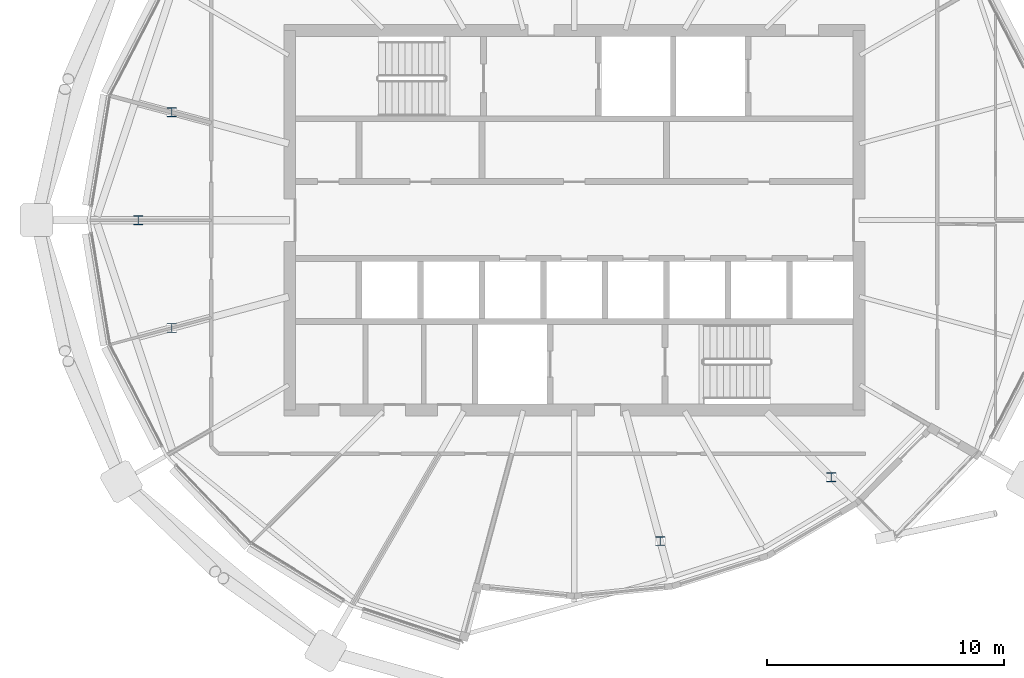
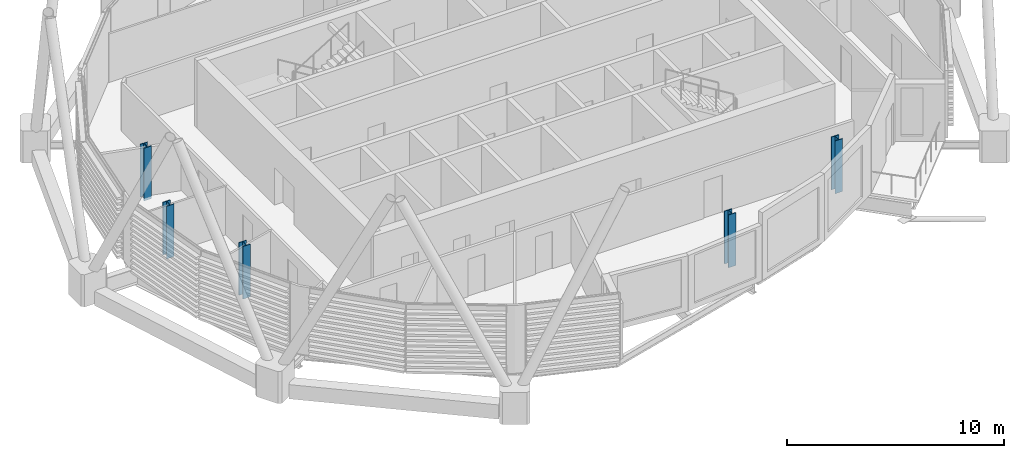
# One storey, part 1 of 32: 5 columns.
"""IFC4 building model written with IfcOpenShell, lengths in metres."""

from ifc_helpers import new_model, si_unit, direction, frame, origin, origin_2d, place, context, subcontext, project, spatial, i_section, extrude, material, material_profile, profile_set, type_object, element, save


model = new_model("IFC4")

# Units and contexts
model_context = context("Model", 3, precision=1e-05, world=origin(), true_north=direction((0.0, 1.0)))
body_context = subcontext(model_context, "Body", "Model", "MODEL_VIEW")
ifc_project = project(units=[si_unit("LENGTHUNIT", "METRE"), si_unit("AREAUNIT", "SQUARE_METRE"), si_unit("VOLUMEUNIT", "CUBIC_METRE"), si_unit("PLANEANGLEUNIT", "RADIAN"), si_unit("MASSUNIT", "GRAM", prefix="KILO")], contexts=[model_context])

# Site, building, storey
site_placement = place(None, origin())
site = spatial("IfcSite", under=ifc_project, at=site_placement, CompositionType="ELEMENT")
building_placement = place(site_placement, origin())
building = spatial("IfcBuilding", under=site, at=building_placement, Name="Rimbun Link Towers", CompositionType="ELEMENT")
storey_placement = place(building_placement, frame((0.0, 0.0, 233.300048828125)))
storey = spatial("IfcBuildingStorey", under=building, at=storey_placement, Name="L57", CompositionType="ELEMENT", Elevation=233.300048828125)

# Columns
ifc_material = material(Name="Steel S355J2", Category="steel")
ifc_material_profile = material_profile(ifc_material, i_section(OverallWidth=0.39892578125, OverallDepth=0.3935546875, WebThickness=0.022705078125, FlangeThickness=0.03662109375, at=origin_2d()), Name="UC 356x406x287")
ifc_profile_set = profile_set([ifc_material_profile], Name="Steel S355J2")
column_type = type_object("IfcColumnType", Name="UC 356x406x287", PredefinedType="COLUMN", material=ifc_profile_set)
for number, where, z_axis, x_axis, name in (
    (1, (-48.723388671875, 4.548095703125, -0.14013671875), (0.0, 0.0, 1.0), (1.0, 0.0, 0.0), "Crease post T1 L57 11"),
    (2, (-50.147705078125, 0.0, -0.14013671875), (0.0, 0.0, 1.0), (1.0, 0.0, 0.0), "Crease post T1 L57 12"),
    (3, (-48.723388671875, -4.548095703125, -0.14013671875), (0.0, 0.0, 1.0), (1.0, 0.0, 0.0), "Crease post T1 L57 13"),
    (4, (-28.12353515625, -13.533935546875, -0.14013671875), (0.0, 0.0, 1.0), (1.0, 0.0, 0.0), "Crease post T1 L57 19"),
    (5, (-20.905517578125, -10.844482421875, -0.14013671875), (0.0, 0.0, 1.0), (1.0, 0.0, 0.0), "Crease post T1 L57 21"),
):
    element("IfcColumn", number, at=place(storey_placement, frame(where, z_axis=z_axis, x_axis=x_axis)), inside=storey, type_object=column_type, Name=name, PredefinedType="COLUMN", context=body_context, shape_type="SweptSolid", body=[
        extrude(i_section(OverallWidth=0.39892578125, OverallDepth=0.3935546875, WebThickness=0.022705078125, FlangeThickness=0.03662109375, at=origin_2d()), origin(), (0.0, 0.0, 1.0), 2.95947265625),
    ])

save(model, "model.ifc")
